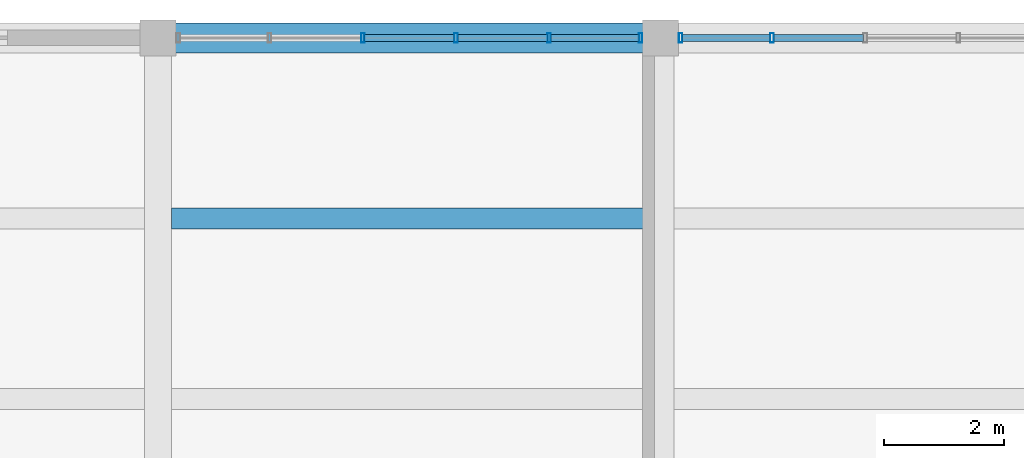
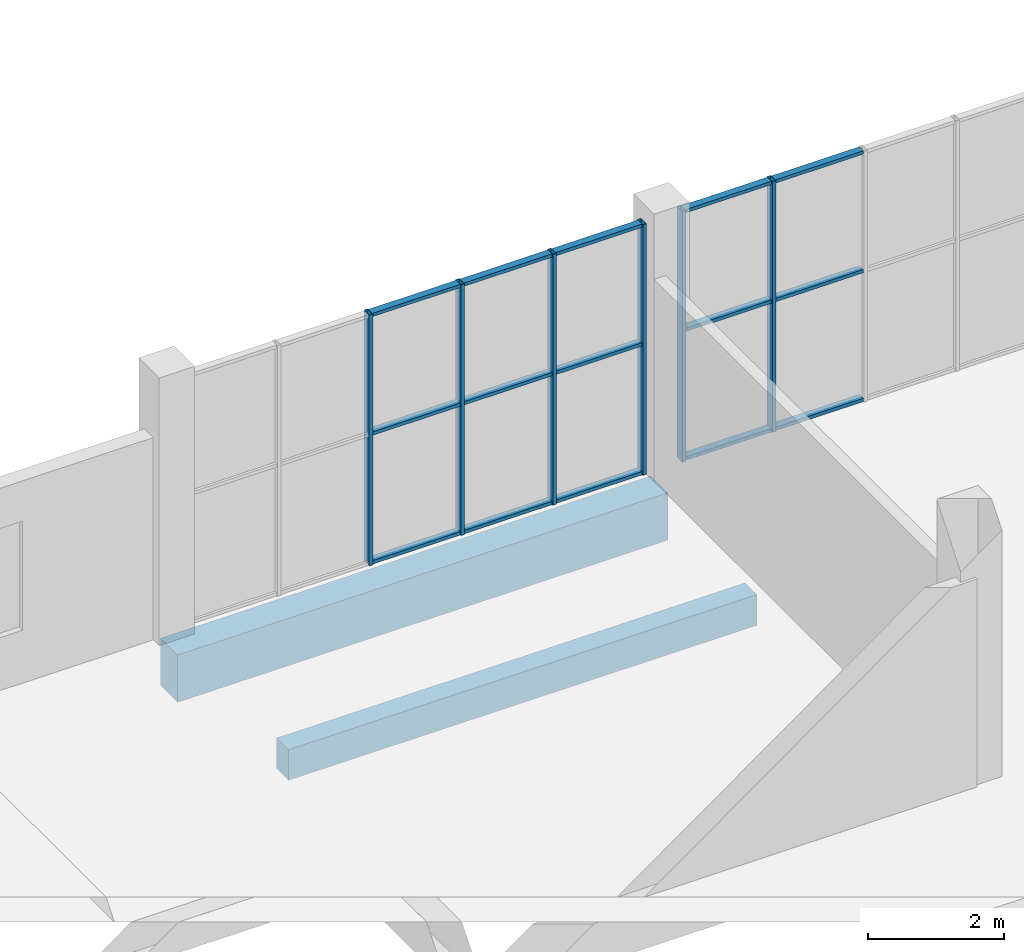
# One storey, part 38 of 80: 21 members, 2 beams, 2 elements without a shape of their own.
"""IFC4 building model written with IfcOpenShell, lengths in metres."""

from ifc_helpers import new_model, si_unit, direction, frame, origin, origin_2d, place, context, subcontext, project, spatial, rectangle, hollow_rectangle, extrude, material, material_profile, profile_set, type_object, element, aggregate, save


model = new_model("IFC4")

# Units and contexts
model_context = context("Model", 3, precision=1e-05, world=origin(), true_north=direction((0.0, 1.0)))
body_context = subcontext(model_context, "Body", "Model", "MODEL_VIEW")
ifc_project = project(units=[si_unit("LENGTHUNIT", "METRE"), si_unit("AREAUNIT", "SQUARE_METRE"), si_unit("VOLUMEUNIT", "CUBIC_METRE"), si_unit("PLANEANGLEUNIT", "RADIAN"), si_unit("MASSUNIT", "GRAM", prefix="KILO")], contexts=[model_context])

# Site, building, storey
site_placement = place(None, origin())
site = spatial("IfcSite", under=ifc_project, at=site_placement, CompositionType="ELEMENT")
building_placement = place(site_placement, origin())
building = spatial("IfcBuilding", under=site, at=building_placement, Name="Khurvash Pelagic Aquarium", CompositionType="ELEMENT")
storey_placement = place(building_placement, frame((0.0, 0.0, 10.800048828125)))
storey = spatial("IfcBuildingStorey", under=building, at=storey_placement, Name="L02", CompositionType="ELEMENT", Elevation=10.800048828125)

# Curtain wall, members
ifc_material_1 = material(Name="Anodised aluminium and low-E laminated glass", Category="aluminium")
curtain_wall_type = type_object("IfcCurtainWallType", Name="CW-06", PredefinedType="USERDEFINED", material=ifc_material_1)
curtain_wall_1_placement = place(storey_placement, origin())
curtain_wall_1 = element("IfcCurtainWall", 1, at=curtain_wall_1_placement, inside=storey, type_object=curtain_wall_type, Name="L02 Facade Unitised Curtain Wall CW-06 0165", ObjectType="UNITISED CURTAIN WALL", PredefinedType="USERDEFINED")
ifc_material_2 = material(Name="Extruded aluminium AW-6063-T6", Category="aluminium")
ifc_material_profile_1 = material_profile(ifc_material_2, hollow_rectangle(XDim=0.06005859375, YDim=0.159912109375, WallThickness=0.00390625, at=origin_2d()), Name="CWM60X160X4")
ifc_profile_set_1 = profile_set([ifc_material_profile_1], Name="Extruded aluminium AW-6063-T6")
member_type_1 = type_object("IfcMemberType", Name="CM-02", PredefinedType="MULLION", material=ifc_profile_set_1)
member_1_placement = place(storey_placement, frame((102.6630859375, 102.14990234375, 0.0), z_axis=(0.0, 0.0, 1.0), x_axis=(-1.0, 0.0, 0.0)))
member_1 = element("IfcMember", 2, at=member_1_placement, type_object=member_type_1, Name="CW-06 mullion 5", PredefinedType="MULLION", context=body_context, shape_type="SweptSolid", body=[
    extrude(hollow_rectangle(XDim=0.06005859375, YDim=0.159912109375, WallThickness=0.00390625, at=origin_2d()), origin(), (0.0, 0.0, 1.0), 4.5),
])
member_2_placement = place(storey_placement, frame((101.135009765625, 102.14990234375, 0.0), z_axis=(0.0, 0.0, 1.0), x_axis=(-1.0, 0.0, 0.0)))
member_2 = element("IfcMember", 3, at=member_2_placement, type_object=member_type_1, Name="CW-06 mullion 6", PredefinedType="MULLION", context=body_context, shape_type="SweptSolid", body=[
    extrude(hollow_rectangle(XDim=0.06005859375, YDim=0.159912109375, WallThickness=0.00390625, at=origin_2d()), origin(), (0.0, 0.0, 1.0), 4.5),
])

curtain_wall_2_placement = place(storey_placement, origin())
curtain_wall_2 = element("IfcCurtainWall", 4, at=curtain_wall_2_placement, inside=storey, type_object=curtain_wall_type, Name="L02 Facade Unitised Curtain Wall CW-06 0166", ObjectType="UNITISED CURTAIN WALL", PredefinedType="USERDEFINED")
member_3_placement = place(storey_placement, frame((100.465087890625, 102.14990234375, 0.0), z_axis=(0.0, 0.0, 1.0), x_axis=(-1.0, 0.0, 0.0)))
member_3 = element("IfcMember", 5, at=member_3_placement, type_object=member_type_1, Name="CW-06 mullion 1", PredefinedType="MULLION", context=body_context, shape_type="SweptSolid", body=[
    extrude(hollow_rectangle(XDim=0.06005859375, YDim=0.159912109375, WallThickness=0.00390625, at=origin_2d()), origin(), (0.0, 0.0, 1.0), 4.5),
])
member_4_placement = place(storey_placement, frame((98.93701171875, 102.14990234375, 0.0), z_axis=(0.0, 0.0, 1.0), x_axis=(-1.0, 0.0, 0.0)))
member_4 = element("IfcMember", 6, at=member_4_placement, type_object=member_type_1, Name="CW-06 mullion 2", PredefinedType="MULLION", context=body_context, shape_type="SweptSolid", body=[
    extrude(hollow_rectangle(XDim=0.06005859375, YDim=0.159912109375, WallThickness=0.00390625, at=origin_2d()), origin(), (0.0, 0.0, 1.0), 4.5),
])
member_5_placement = place(storey_placement, frame((97.37890625, 102.14990234375, 0.0), z_axis=(0.0, 0.0, 1.0), x_axis=(-1.0, 0.0, 0.0)))
member_5 = element("IfcMember", 7, at=member_5_placement, type_object=member_type_1, Name="CW-06 mullion 3", PredefinedType="MULLION", context=body_context, shape_type="SweptSolid", body=[
    extrude(hollow_rectangle(XDim=0.06005859375, YDim=0.159912109375, WallThickness=0.00390625, at=origin_2d()), origin(), (0.0, 0.0, 1.0), 4.5),
])
member_6_placement = place(storey_placement, frame((95.821044921875, 102.14990234375, 0.0), z_axis=(0.0, 0.0, 1.0), x_axis=(-1.0, 0.0, 0.0)))
member_6 = element("IfcMember", 8, at=member_6_placement, type_object=member_type_1, Name="CW-06 mullion 4", PredefinedType="MULLION", context=body_context, shape_type="SweptSolid", body=[
    extrude(hollow_rectangle(XDim=0.06005859375, YDim=0.159912109375, WallThickness=0.00390625, at=origin_2d()), origin(), (0.0, 0.0, 1.0), 4.5),
])

# Member
ifc_material_profile_2 = material_profile(ifc_material_2, hollow_rectangle(XDim=0.1201171875, YDim=0.06005859375, WallThickness=0.00390625, at=origin_2d()), Name="CWT120X60X4")
ifc_profile_set_2 = profile_set([ifc_material_profile_2], Name="Extruded aluminium AW-6063-T6")
member_type_2 = type_object("IfcMemberType", Name="CT-02", PredefinedType="USERDEFINED", material=ifc_profile_set_2)
member_7_placement = place(storey_placement, frame((104.19091796875, 102.14990234375, 0.030029296875), z_axis=(-1.0, 0.0, 0.0), x_axis=(0.0, -1.0, 0.0)))
member_7 = element("IfcMember", 9, at=member_7_placement, type_object=member_type_2, Name="CW-06 transom 4.1", ObjectType="TRANSOM", PredefinedType="USERDEFINED", context=body_context, shape_type="SweptSolid", body=[
    extrude(hollow_rectangle(XDim=0.1201171875, YDim=0.06005859375, WallThickness=0.00390625, at=origin_2d()), origin(), (0.0, 0.0, 1.0), 1.497802734375),
])

member_8_placement = place(storey_placement, frame((104.19091796875, 102.14990234375, 2.33984375), z_axis=(-1.0, 0.0, 0.0), x_axis=(0.0, -1.0, 0.0)))
member_8 = element("IfcMember", 10, at=member_8_placement, type_object=member_type_2, Name="CW-06 transom 4.2", ObjectType="TRANSOM", PredefinedType="USERDEFINED", context=body_context, shape_type="SweptSolid", body=[
    extrude(hollow_rectangle(XDim=0.1201171875, YDim=0.06005859375, WallThickness=0.00390625, at=origin_2d()), origin(), (0.0, 0.0, 1.0), 1.497802734375),
])

member_9_placement = place(storey_placement, frame((104.19091796875, 102.14990234375, 4.469970703125), z_axis=(-1.0, 0.0, 0.0), x_axis=(0.0, -1.0, 0.0)))
member_9 = element("IfcMember", 11, at=member_9_placement, type_object=member_type_2, Name="CW-06 transom 4.3", ObjectType="TRANSOM", PredefinedType="USERDEFINED", context=body_context, shape_type="SweptSolid", body=[
    extrude(hollow_rectangle(XDim=0.1201171875, YDim=0.06005859375, WallThickness=0.00390625, at=origin_2d()), origin(), (0.0, 0.0, 1.0), 1.497802734375),
])

member_10_placement = place(storey_placement, frame((102.633056640625, 102.14990234375, 0.030029296875), z_axis=(-1.0, 0.0, 0.0), x_axis=(0.0, -1.0, 0.0)))
member_10 = element("IfcMember", 12, at=member_10_placement, type_object=member_type_2, Name="CW-06 transom 5.1", ObjectType="TRANSOM", PredefinedType="USERDEFINED", context=body_context, shape_type="SweptSolid", body=[
    extrude(hollow_rectangle(XDim=0.1201171875, YDim=0.06005859375, WallThickness=0.00390625, at=origin_2d()), origin(), (0.0, 0.0, 1.0), 1.468017578125),
])

member_11_placement = place(storey_placement, frame((102.633056640625, 102.14990234375, 2.33984375), z_axis=(-1.0, 0.0, 0.0), x_axis=(0.0, -1.0, 0.0)))
member_11 = element("IfcMember", 13, at=member_11_placement, type_object=member_type_2, Name="CW-06 transom 5.2", ObjectType="TRANSOM", PredefinedType="USERDEFINED", context=body_context, shape_type="SweptSolid", body=[
    extrude(hollow_rectangle(XDim=0.1201171875, YDim=0.06005859375, WallThickness=0.00390625, at=origin_2d()), origin(), (0.0, 0.0, 1.0), 1.468017578125),
])

member_12_placement = place(storey_placement, frame((102.633056640625, 102.14990234375, 4.469970703125), z_axis=(-1.0, 0.0, 0.0), x_axis=(0.0, -1.0, 0.0)))
member_12 = element("IfcMember", 14, at=member_12_placement, type_object=member_type_2, Name="CW-06 transom 5.3", ObjectType="TRANSOM", PredefinedType="USERDEFINED", context=body_context, shape_type="SweptSolid", body=[
    extrude(hollow_rectangle(XDim=0.1201171875, YDim=0.06005859375, WallThickness=0.00390625, at=origin_2d()), origin(), (0.0, 0.0, 1.0), 1.468017578125),
])

aggregate(curtain_wall_1, [member_1, member_2, member_7, member_8, member_9, member_10, member_11, member_12])

member_13_placement = place(storey_placement, frame((100.43505859375, 102.14990234375, 0.030029296875), z_axis=(-1.0, 0.0, 0.0), x_axis=(0.0, -1.0, 0.0)))
member_13 = element("IfcMember", 15, at=member_13_placement, type_object=member_type_2, Name="CW-06 transom 1.1", ObjectType="TRANSOM", PredefinedType="USERDEFINED", context=body_context, shape_type="SweptSolid", body=[
    extrude(hollow_rectangle(XDim=0.1201171875, YDim=0.06005859375, WallThickness=0.00390625, at=origin_2d()), origin(), (0.0, 0.0, 1.0), 1.468017578125),
])

member_14_placement = place(storey_placement, frame((100.43505859375, 102.14990234375, 2.33984375), z_axis=(-1.0, 0.0, 0.0), x_axis=(0.0, -1.0, 0.0)))
member_14 = element("IfcMember", 16, at=member_14_placement, type_object=member_type_2, Name="CW-06 transom 1.2", ObjectType="TRANSOM", PredefinedType="USERDEFINED", context=body_context, shape_type="SweptSolid", body=[
    extrude(hollow_rectangle(XDim=0.1201171875, YDim=0.06005859375, WallThickness=0.00390625, at=origin_2d()), origin(), (0.0, 0.0, 1.0), 1.468017578125),
])

member_15_placement = place(storey_placement, frame((100.43505859375, 102.14990234375, 4.469970703125), z_axis=(-1.0, 0.0, 0.0), x_axis=(0.0, -1.0, 0.0)))
member_15 = element("IfcMember", 17, at=member_15_placement, type_object=member_type_2, Name="CW-06 transom 1.3", ObjectType="TRANSOM", PredefinedType="USERDEFINED", context=body_context, shape_type="SweptSolid", body=[
    extrude(hollow_rectangle(XDim=0.1201171875, YDim=0.06005859375, WallThickness=0.00390625, at=origin_2d()), origin(), (0.0, 0.0, 1.0), 1.468017578125),
])

member_16_placement = place(storey_placement, frame((98.906982421875, 102.14990234375, 0.030029296875), z_axis=(-1.0, 0.0, 0.0), x_axis=(0.0, -1.0, 0.0)))
member_16 = element("IfcMember", 18, at=member_16_placement, type_object=member_type_2, Name="CW-06 transom 2.1", ObjectType="TRANSOM", PredefinedType="USERDEFINED", context=body_context, shape_type="SweptSolid", body=[
    extrude(hollow_rectangle(XDim=0.1201171875, YDim=0.06005859375, WallThickness=0.00390625, at=origin_2d()), origin(), (0.0, 0.0, 1.0), 1.498046875),
])

member_17_placement = place(storey_placement, frame((98.906982421875, 102.14990234375, 2.33984375), z_axis=(-1.0, 0.0, 0.0), x_axis=(0.0, -1.0, 0.0)))
member_17 = element("IfcMember", 19, at=member_17_placement, type_object=member_type_2, Name="CW-06 transom 2.2", ObjectType="TRANSOM", PredefinedType="USERDEFINED", context=body_context, shape_type="SweptSolid", body=[
    extrude(hollow_rectangle(XDim=0.1201171875, YDim=0.06005859375, WallThickness=0.00390625, at=origin_2d()), origin(), (0.0, 0.0, 1.0), 1.498046875),
])

member_18_placement = place(storey_placement, frame((98.906982421875, 102.14990234375, 4.469970703125), z_axis=(-1.0, 0.0, 0.0), x_axis=(0.0, -1.0, 0.0)))
member_18 = element("IfcMember", 20, at=member_18_placement, type_object=member_type_2, Name="CW-06 transom 2.3", ObjectType="TRANSOM", PredefinedType="USERDEFINED", context=body_context, shape_type="SweptSolid", body=[
    extrude(hollow_rectangle(XDim=0.1201171875, YDim=0.06005859375, WallThickness=0.00390625, at=origin_2d()), origin(), (0.0, 0.0, 1.0), 1.498046875),
])

member_19_placement = place(storey_placement, frame((97.34912109375, 102.14990234375, 0.030029296875), z_axis=(-1.0, 0.0, 0.0), x_axis=(0.0, -1.0, 0.0)))
member_19 = element("IfcMember", 21, at=member_19_placement, type_object=member_type_2, Name="CW-06 transom 3.1", ObjectType="TRANSOM", PredefinedType="USERDEFINED", context=body_context, shape_type="SweptSolid", body=[
    extrude(hollow_rectangle(XDim=0.1201171875, YDim=0.06005859375, WallThickness=0.00390625, at=origin_2d()), origin(), (0.0, 0.0, 1.0), 1.498046875),
])

member_20_placement = place(storey_placement, frame((97.34912109375, 102.14990234375, 2.33984375), z_axis=(-1.0, 0.0, 0.0), x_axis=(0.0, -1.0, 0.0)))
member_20 = element("IfcMember", 22, at=member_20_placement, type_object=member_type_2, Name="CW-06 transom 3.2", ObjectType="TRANSOM", PredefinedType="USERDEFINED", context=body_context, shape_type="SweptSolid", body=[
    extrude(hollow_rectangle(XDim=0.1201171875, YDim=0.06005859375, WallThickness=0.00390625, at=origin_2d()), origin(), (0.0, 0.0, 1.0), 1.498046875),
])

member_21_placement = place(storey_placement, frame((97.34912109375, 102.14990234375, 4.469970703125), z_axis=(-1.0, 0.0, 0.0), x_axis=(0.0, -1.0, 0.0)))
member_21 = element("IfcMember", 23, at=member_21_placement, type_object=member_type_2, Name="CW-06 transom 3.3", ObjectType="TRANSOM", PredefinedType="USERDEFINED", context=body_context, shape_type="SweptSolid", body=[
    extrude(hollow_rectangle(XDim=0.1201171875, YDim=0.06005859375, WallThickness=0.00390625, at=origin_2d()), origin(), (0.0, 0.0, 1.0), 1.498046875),
])

aggregate(curtain_wall_2, [member_3, member_4, member_5, member_6, member_13, member_14, member_15, member_16, member_17, member_18, member_19, member_20, member_21])

# Beams
ifc_material_3 = material(Name="Concrete C35/45", Category="concrete")
ifc_material_profile_3 = material_profile(ifc_material_3, rectangle(XDim=0.35009765625, YDim=0.550048828125, at=origin_2d()), Name="RC350X550")
ifc_profile_set_3 = profile_set([ifc_material_profile_3], Name="Concrete C35/45")
beam_type_1 = type_object("IfcBeamType", Name="JS-01", PredefinedType="JOIST", material=ifc_profile_set_3)
beam_1_placement = place(storey_placement, frame((92.625, 99.133056640625, -0.574951171875), z_axis=(1.0, 0.0, 0.0), x_axis=(0.0, 1.0, 0.0)))
element("IfcBeam", 24, at=beam_1_placement, inside=storey, type_object=beam_type_1, Name="L02 Floor Joist JS-01 00812", PredefinedType="JOIST", context=body_context, shape_type="SweptSolid", body=[
    extrude(rectangle(XDim=0.35009765625, YDim=0.550048828125, at=origin_2d()), origin(), (0.0, 0.0, 1.0), 7.949951171875),
])
ifc_material_4 = material(Name="Concrete C40/50", Category="concrete")
ifc_material_profile_4 = material_profile(ifc_material_4, rectangle(XDim=0.5, YDim=0.85009765625, at=origin_2d()), Name="RC500X850")
ifc_profile_set_4 = profile_set([ifc_material_profile_4], Name="Concrete C40/50")
beam_type_2 = type_object("IfcBeamType", Name="SEB-03", PredefinedType="SPANDREL", material=ifc_profile_set_4)
beam_2_placement = place(storey_placement, frame((92.43994140625, 102.14990234375, -0.7451171875), z_axis=(1.0, 0.0, 0.0), x_axis=(0.0, 1.0, 0.0)))
element("IfcBeam", 25, at=beam_2_placement, inside=storey, type_object=beam_type_2, Name="L02 Primary Girder SEB-03 00646", PredefinedType="SPANDREL", context=body_context, shape_type="SweptSolid", body=[
    extrude(rectangle(XDim=0.5, YDim=0.85009765625, at=origin_2d()), origin(), (0.0, 0.0, 1.0), 8.320068359375),
])

save(model, "model.ifc")
